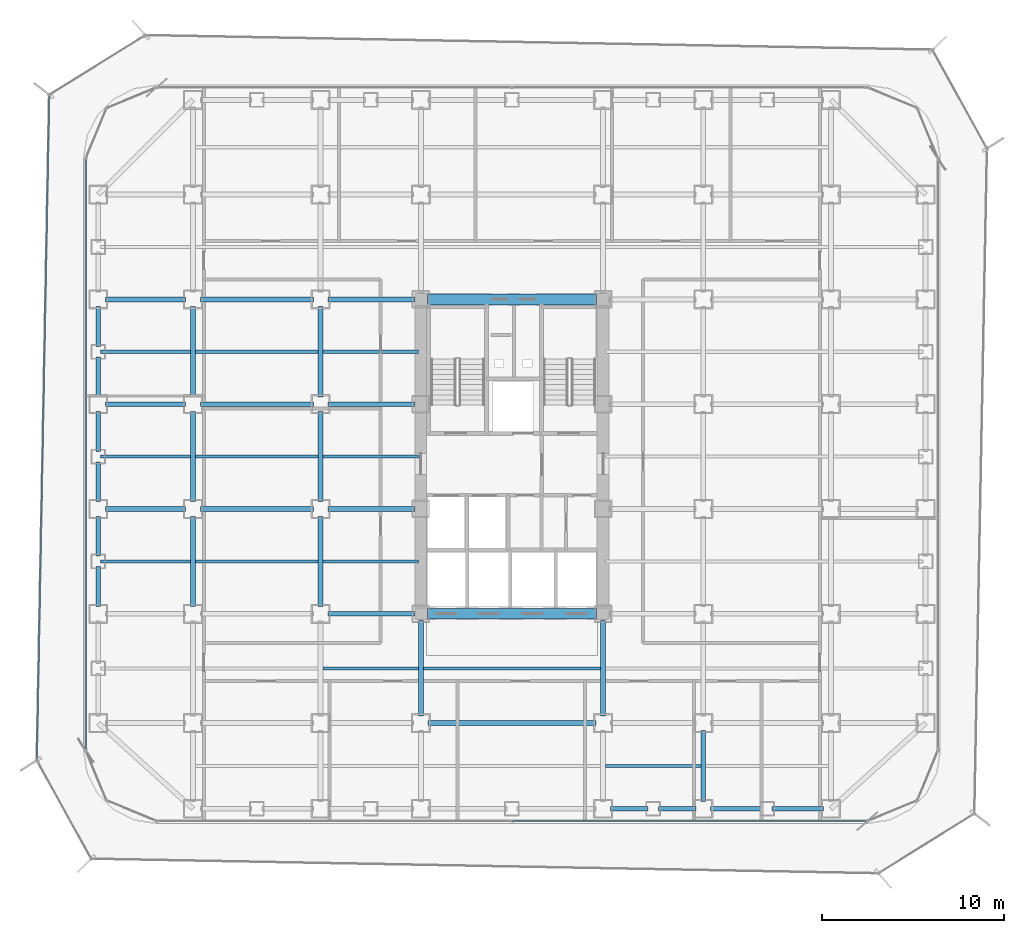
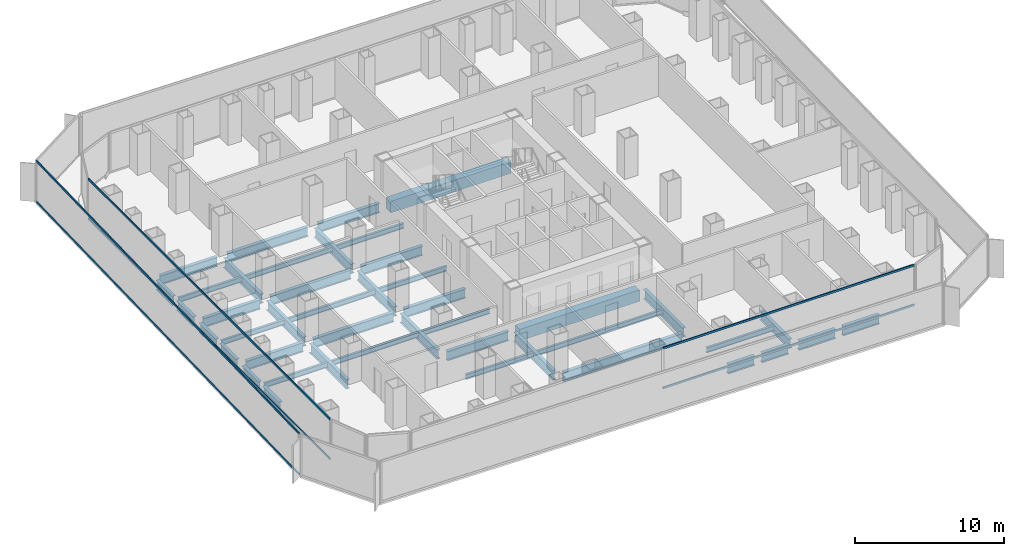
# One storey, part 5 of 22: 44 beams, 6 members, 3 elements without a shape of their own.
"""IFC4 building model written with IfcOpenShell, lengths in metres."""

from ifc_helpers import new_model, si_unit, direction, frame, origin, origin_2d, place, context, subcontext, project, spatial, rectangle, hollow_rectangle, i_section, extrude, source, transform, mapped, material, layer, layer_set, material_profile, profile_set, type_object, element, aggregate, save


model = new_model("IFC4")

# Units and contexts
model_context = context("Model", 3, precision=1e-05, world=origin(), true_north=direction((0.0, 1.0)))
body_context = subcontext(model_context, "Body", "Model", "MODEL_VIEW")
ifc_project = project(units=[si_unit("LENGTHUNIT", "METRE"), si_unit("AREAUNIT", "SQUARE_METRE"), si_unit("VOLUMEUNIT", "CUBIC_METRE"), si_unit("PLANEANGLEUNIT", "RADIAN"), si_unit("MASSUNIT", "GRAM", prefix="KILO")], contexts=[model_context])

# Site, building, storey
site_placement = place(None, origin())
site = spatial("IfcSite", under=ifc_project, at=site_placement, CompositionType="ELEMENT")
building_placement = place(site_placement, origin())
building = spatial("IfcBuilding", under=site, at=building_placement, Name="Kolveth Station Tower", CompositionType="ELEMENT")
storey_placement = place(building_placement, frame((0.0, 0.0, 81.0)))
storey = spatial("IfcBuildingStorey", under=building, at=storey_placement, Name="L21", CompositionType="ELEMENT", Elevation=81.0)

# Beams
ifc_material_1 = material(Name="Steel S355", Category="steel")
ifc_material_profile_1 = material_profile(ifc_material_1, i_section(OverallWidth=0.26904296875, OverallDepth=0.77490234375, WebThickness=0.01708984375, FlangeThickness=0.0283203125, at=origin_2d()), Name="W760x220")
ifc_profile_set_1 = profile_set([ifc_material_profile_1], Name="Steel S355")
beam_type_1 = type_object("IfcBeamType", Name="Beam_SP1", PredefinedType="SPANDREL", material=ifc_profile_set_1)
shared_shape_1 = source(origin(), body_context, "Body", "SweptSolid", [
    extrude(i_section(OverallWidth=0.26904296875, OverallDepth=0.77490234375, WebThickness=0.01708984375, FlangeThickness=0.0283203125, at=origin_2d()), origin(), (0.0, 0.0, 1.0), 2.820068359375),
])
for number, where, z_axis, x_axis, name in (
    (1, (34.39990234375, 0.800048828125, -0.66748046875), (1.0, 0.0, 0.0), (0.0, 1.0, 0.0), "L21 Perimeter Spandrel BM-L21-PS-9"),
    (2, (37.780029296875, 0.800048828125, -0.66748046875), (1.0, 0.0, 0.0), (0.0, 1.0, 0.0), "L21 Perimeter Spandrel BM-L21-PS-10"),
):
    element("IfcBeam", number, at=place(storey_placement, frame(where, z_axis=z_axis, x_axis=x_axis)), inside=storey, type_object=beam_type_1, Name=name, PredefinedType="SPANDREL", context=body_context, shape_type="MappedRepresentation", body=[
        mapped(shared_shape_1, transform((0.0, 0.0, 0.0), x_axis=(1.0, 0.0, 0.0), y_axis=(0.0, 1.0, 0.0), z_axis=(0.0, 0.0, 1.0), scale=1.0)),
    ])
shared_shape_2 = source(origin(), body_context, "Body", "SweptSolid", [
    extrude(i_section(OverallWidth=0.26904296875, OverallDepth=0.77490234375, WebThickness=0.01708984375, FlangeThickness=0.0283203125, at=origin_2d()), origin(), (0.0, 0.0, 1.0), 2.070068359375),
])
for number, where, z_axis, x_axis, name in (
    (3, (28.89990234375, 0.800048828125, -0.66748046875), (1.0, 0.0, 0.0), (0.0, 1.0, 0.0), "L21 Perimeter Spandrel BM-L21-PS-7"),
    (4, (31.530029296875, 0.800048828125, -0.66748046875), (1.0, 0.0, 0.0), (0.0, 1.0, 0.0), "L21 Perimeter Spandrel BM-L21-PS-8"),
):
    element("IfcBeam", number, at=place(storey_placement, frame(where, z_axis=z_axis, x_axis=x_axis)), inside=storey, type_object=beam_type_1, Name=name, PredefinedType="SPANDREL", context=body_context, shape_type="MappedRepresentation", body=[
        mapped(shared_shape_2, transform((0.0, 0.0, 0.0), x_axis=(1.0, 0.0, 0.0), y_axis=(0.0, 1.0, 0.0), z_axis=(0.0, 0.0, 1.0), scale=1.0)),
    ])
shared_shape_3 = source(origin(), body_context, "Body", "SweptSolid", [
    extrude(i_section(OverallWidth=0.26904296875, OverallDepth=0.77490234375, WebThickness=0.01708984375, FlangeThickness=0.0283203125, at=origin_2d()), origin(), (0.0, 0.0, 1.0), 2.2001953125),
])
for number, where, z_axis, x_axis, name in (
    (5, (0.800048828125, 11.89990234375, -0.66748046875), (0.0, 1.0, 0.0), (-1.0, 0.0, 0.0), "L21 Perimeter Spandrel BM-L21-PW-3"),
    (6, (0.800048828125, 20.39990234375, -0.66748046875), (0.0, 1.0, 0.0), (-1.0, 0.0, 0.0), "L21 Perimeter Spandrel BM-L21-PW-6"),
    (7, (0.800048828125, 23.39990234375, -0.66748046875), (0.0, 1.0, 0.0), (-1.0, 0.0, 0.0), "L21 Perimeter Spandrel BM-L21-PW-7"),
):
    element("IfcBeam", number, at=place(storey_placement, frame(where, z_axis=z_axis, x_axis=x_axis)), inside=storey, type_object=beam_type_1, Name=name, PredefinedType="SPANDREL", context=body_context, shape_type="MappedRepresentation", body=[
        mapped(shared_shape_3, transform((0.0, 0.0, 0.0), x_axis=(1.0, 0.0, 0.0), y_axis=(0.0, 1.0, 0.0), z_axis=(0.0, 0.0, 1.0), scale=1.0)),
    ])
shared_shape_4 = source(origin(), body_context, "Body", "SweptSolid", [
    extrude(i_section(OverallWidth=0.26904296875, OverallDepth=0.77490234375, WebThickness=0.01708984375, FlangeThickness=0.0283203125, at=origin_2d()), origin(), (0.0, 0.0, 1.0), 2.190185546875),
])
for number, where, z_axis, x_axis, name in (
    (8, (0.800048828125, 14.659912109375, -0.66748046875), (0.0, 1.0, 0.0), (-1.0, 0.0, 0.0), "L21 Perimeter Spandrel BM-L21-PW-4"),
    (9, (0.800048828125, 17.64990234375, -0.66748046875), (0.0, 1.0, 0.0), (-1.0, 0.0, 0.0), "L21 Perimeter Spandrel BM-L21-PW-5"),
    (10, (0.800048828125, 26.159912109375, -0.66748046875), (0.0, 1.0, 0.0), (-1.0, 0.0, 0.0), "L21 Perimeter Spandrel BM-L21-PW-8"),
):
    element("IfcBeam", number, at=place(storey_placement, frame(where, z_axis=z_axis, x_axis=x_axis)), inside=storey, type_object=beam_type_1, Name=name, PredefinedType="SPANDREL", context=body_context, shape_type="MappedRepresentation", body=[
        mapped(shared_shape_4, transform((0.0, 0.0, 0.0), x_axis=(1.0, 0.0, 0.0), y_axis=(0.0, 1.0, 0.0), z_axis=(0.0, 0.0, 1.0), scale=1.0)),
    ])
ifc_material_profile_2 = material_profile(ifc_material_1, i_section(OverallWidth=0.26708984375, OverallDepth=0.76611328125, WebThickness=0.014892578125, FlangeThickness=0.023681640625, at=origin_2d()), Name="W760x185")
ifc_profile_set_2 = profile_set([ifc_material_profile_2], Name="Steel S355")
beam_type_2 = type_object("IfcBeamType", Name="Beam_B3", PredefinedType="BEAM", material=ifc_profile_set_2)
shared_shape_5 = source(origin(), body_context, "Body", "SweptSolid", [
    extrude(i_section(OverallWidth=0.26708984375, OverallDepth=0.76611328125, WebThickness=0.014892578125, FlangeThickness=0.023681640625, at=origin_2d()), origin(), (0.0, 0.0, 1.0), 4.400146484375),
])
for number, where, z_axis, x_axis, name in (
    (11, (1.199951171875, 17.25, -0.6630859375), (1.0, 0.0, 0.0), (0.0, 1.0, 0.0), "L21 Primary Girder BM-L21-GY172-1"),
    (12, (1.199951171875, 23.0, -0.6630859375), (1.0, 0.0, 0.0), (0.0, 1.0, 0.0), "L21 Primary Girder BM-L21-GY230-1"),
    (13, (1.199951171875, 28.75, -0.6630859375), (1.0, 0.0, 0.0), (0.0, 1.0, 0.0), "L21 Primary Girder BM-L21-GY287-1"),
):
    element("IfcBeam", number, at=place(storey_placement, frame(where, z_axis=z_axis, x_axis=x_axis)), inside=storey, type_object=beam_type_2, Name=name, PredefinedType="BEAM", context=body_context, shape_type="MappedRepresentation", body=[
        mapped(shared_shape_5, transform((0.0, 0.0, 0.0), x_axis=(1.0, 0.0, 0.0), y_axis=(0.0, 1.0, 0.0), z_axis=(0.0, 0.0, 1.0), scale=1.0)),
    ])
shared_shape_6 = source(origin(), body_context, "Body", "SweptSolid", [
    extrude(i_section(OverallWidth=0.26708984375, OverallDepth=0.76611328125, WebThickness=0.014892578125, FlangeThickness=0.023681640625, at=origin_2d()), origin(), (0.0, 0.0, 1.0), 6.2001953125),
])
for number, where, z_axis, x_axis, name in (
    (14, (6.39990234375, 17.25, -0.6630859375), (1.0, 0.0, 0.0), (0.0, 1.0, 0.0), "L21 Primary Girder BM-L21-GY172-2"),
    (15, (6.39990234375, 23.0, -0.6630859375), (1.0, 0.0, 0.0), (0.0, 1.0, 0.0), "L21 Primary Girder BM-L21-GY230-2"),
    (16, (6.39990234375, 28.75, -0.6630859375), (1.0, 0.0, 0.0), (0.0, 1.0, 0.0), "L21 Primary Girder BM-L21-GY287-2"),
):
    element("IfcBeam", number, at=place(storey_placement, frame(where, z_axis=z_axis, x_axis=x_axis)), inside=storey, type_object=beam_type_2, Name=name, PredefinedType="BEAM", context=body_context, shape_type="MappedRepresentation", body=[
        mapped(shared_shape_6, transform((0.0, 0.0, 0.0), x_axis=(1.0, 0.0, 0.0), y_axis=(0.0, 1.0, 0.0), z_axis=(0.0, 0.0, 1.0), scale=1.0)),
    ])
shared_shape_7 = source(origin(), body_context, "Body", "SweptSolid", [
    extrude(i_section(OverallWidth=0.26708984375, OverallDepth=0.76611328125, WebThickness=0.014892578125, FlangeThickness=0.023681640625, at=origin_2d()), origin(), (0.0, 0.0, 1.0), 9.2001953125),
])
beam_1_placement = place(storey_placement, frame((18.89990234375, 5.5, -0.6630859375), z_axis=(1.0, 0.0, 0.0), x_axis=(0.0, 1.0, 0.0)))
element("IfcBeam", 17, at=beam_1_placement, inside=storey, type_object=beam_type_2, Name="L21 Primary Girder BM-L21-GY55-4", PredefinedType="BEAM", context=body_context, shape_type="MappedRepresentation", body=[
    mapped(shared_shape_7, transform((0.0, 0.0, 0.0), x_axis=(1.0, 0.0, 0.0), y_axis=(0.0, 1.0, 0.0), z_axis=(0.0, 0.0, 1.0), scale=1.0)),
])
shared_shape_8 = source(origin(), body_context, "Body", "SweptSolid", [
    extrude(i_section(OverallWidth=0.26708984375, OverallDepth=0.76611328125, WebThickness=0.014892578125, FlangeThickness=0.023681640625, at=origin_2d()), origin(), (0.0, 0.0, 1.0), 4.739990234375),
])
for number, where, z_axis, x_axis, name in (
    (18, (13.39990234375, 11.5, -0.6630859375), (1.0, 0.0, 0.0), (0.0, 1.0, 0.0), "L21 Primary Girder BM-L21-GY115-3"),
    (19, (13.39990234375, 17.25, -0.6630859375), (1.0, 0.0, 0.0), (0.0, 1.0, 0.0), "L21 Primary Girder BM-L21-GY172-3"),
    (20, (13.39990234375, 23.0, -0.6630859375), (1.0, 0.0, 0.0), (0.0, 1.0, 0.0), "L21 Primary Girder BM-L21-GY230-3"),
    (21, (13.39990234375, 28.75, -0.6630859375), (1.0, 0.0, 0.0), (0.0, 1.0, 0.0), "L21 Primary Girder BM-L21-GY287-3"),
):
    element("IfcBeam", number, at=place(storey_placement, frame(where, z_axis=z_axis, x_axis=x_axis)), inside=storey, type_object=beam_type_2, Name=name, PredefinedType="BEAM", context=body_context, shape_type="MappedRepresentation", body=[
        mapped(shared_shape_8, transform((0.0, 0.0, 0.0), x_axis=(1.0, 0.0, 0.0), y_axis=(0.0, 1.0, 0.0), z_axis=(0.0, 0.0, 1.0), scale=1.0)),
    ])
shared_shape_9 = source(origin(), body_context, "Body", "SweptSolid", [
    extrude(i_section(OverallWidth=0.26708984375, OverallDepth=0.76611328125, WebThickness=0.014892578125, FlangeThickness=0.023681640625, at=origin_2d()), origin(), (0.0, 0.0, 1.0), 3.900146484375),
])
beam_2_placement = place(storey_placement, frame((34.0, 1.199951171875, -0.6630859375), z_axis=(0.0, 1.0, 0.0), x_axis=(-1.0, 0.0, 0.0)))
element("IfcBeam", 22, at=beam_2_placement, inside=storey, type_object=beam_type_2, Name="L21 Primary Girder BM-L21-GX340-1", PredefinedType="BEAM", context=body_context, shape_type="MappedRepresentation", body=[
    mapped(shared_shape_9, transform((0.0, 0.0, 0.0), x_axis=(1.0, 0.0, 0.0), y_axis=(0.0, 1.0, 0.0), z_axis=(0.0, 0.0, 1.0), scale=1.0)),
])
shared_shape_10 = source(origin(), body_context, "Body", "SweptSolid", [
    extrude(i_section(OverallWidth=0.26708984375, OverallDepth=0.76611328125, WebThickness=0.014892578125, FlangeThickness=0.023681640625, at=origin_2d()), origin(), (0.0, 0.0, 1.0), 4.9501953125),
])
for number, where, z_axis, x_axis, name in (
    (23, (6.0, 11.89990234375, -0.6630859375), (0.0, 1.0, 0.0), (-1.0, 0.0, 0.0), "L21 Primary Girder BM-L21-GX60-3"),
    (24, (6.0, 17.64990234375, -0.6630859375), (0.0, 1.0, 0.0), (-1.0, 0.0, 0.0), "L21 Primary Girder BM-L21-GX60-4"),
    (25, (6.0, 23.39990234375, -0.6630859375), (0.0, 1.0, 0.0), (-1.0, 0.0, 0.0), "L21 Primary Girder BM-L21-GX60-5"),
    (26, (13.0, 11.89990234375, -0.6630859375), (0.0, 1.0, 0.0), (-1.0, 0.0, 0.0), "L21 Primary Girder BM-L21-GX130-3"),
    (27, (13.0, 17.64990234375, -0.6630859375), (0.0, 1.0, 0.0), (-1.0, 0.0, 0.0), "L21 Primary Girder BM-L21-GX130-4"),
    (28, (13.0, 23.39990234375, -0.6630859375), (0.0, 1.0, 0.0), (-1.0, 0.0, 0.0), "L21 Primary Girder BM-L21-GX130-5"),
):
    element("IfcBeam", number, at=place(storey_placement, frame(where, z_axis=z_axis, x_axis=x_axis)), inside=storey, type_object=beam_type_2, Name=name, PredefinedType="BEAM", context=body_context, shape_type="MappedRepresentation", body=[
        mapped(shared_shape_10, transform((0.0, 0.0, 0.0), x_axis=(1.0, 0.0, 0.0), y_axis=(0.0, 1.0, 0.0), z_axis=(0.0, 0.0, 1.0), scale=1.0)),
    ])
shared_shape_11 = source(origin(), body_context, "Body", "SweptSolid", [
    extrude(i_section(OverallWidth=0.26708984375, OverallDepth=0.76611328125, WebThickness=0.014892578125, FlangeThickness=0.023681640625, at=origin_2d()), origin(), (0.0, 0.0, 1.0), 5.239990234375),
])
for number, where, z_axis, x_axis, name in (
    (29, (18.5, 5.89990234375, -0.6630859375), (0.0, 1.0, 0.0), (-1.0, 0.0, 0.0), "L21 Primary Girder BM-L21-GX185-2"),
    (30, (28.5, 5.89990234375, -0.6630859375), (0.0, 1.0, 0.0), (-1.0, 0.0, 0.0), "L21 Primary Girder BM-L21-GX285-2"),
):
    element("IfcBeam", number, at=place(storey_placement, frame(where, z_axis=z_axis, x_axis=x_axis)), inside=storey, type_object=beam_type_2, Name=name, PredefinedType="BEAM", context=body_context, shape_type="MappedRepresentation", body=[
        mapped(shared_shape_11, transform((0.0, 0.0, 0.0), x_axis=(1.0, 0.0, 0.0), y_axis=(0.0, 1.0, 0.0), z_axis=(0.0, 0.0, 1.0), scale=1.0)),
    ])
ifc_material_profile_3 = material_profile(ifc_material_1, i_section(OverallWidth=0.177978515625, OverallDepth=0.406982421875, WebThickness=0.0078125, FlangeThickness=0.0126953125, at=origin_2d()), Name="W410x60")
ifc_profile_set_3 = profile_set([ifc_material_profile_3], Name="Steel S355")
beam_type_3 = type_object("IfcBeamType", Name="Beam_J1", PredefinedType="JOIST", material=ifc_profile_set_3)
shared_shape_12 = source(origin(), body_context, "Body", "SweptSolid", [
    extrude(i_section(OverallWidth=0.177978515625, OverallDepth=0.406982421875, WebThickness=0.0078125, FlangeThickness=0.0126953125, at=origin_2d()), origin(), (0.0, 0.0, 1.0), 4.935791015625),
])
for number, where, z_axis, x_axis, name in (
    (31, (0.9326171875, 14.375, -0.4833984375), (1.0, 0.0, 0.0), (0.0, 1.0, 0.0), "L21 Secondary Joist JST-L21-1-3"),
    (32, (0.9326171875, 20.125, -0.4833984375), (1.0, 0.0, 0.0), (0.0, 1.0, 0.0), "L21 Secondary Joist JST-L21-1-4"),
    (33, (0.9326171875, 25.875, -0.4833984375), (1.0, 0.0, 0.0), (0.0, 1.0, 0.0), "L21 Secondary Joist JST-L21-1-5"),
):
    element("IfcBeam", number, at=place(storey_placement, frame(where, z_axis=z_axis, x_axis=x_axis)), inside=storey, type_object=beam_type_3, Name=name, PredefinedType="JOIST", context=body_context, shape_type="MappedRepresentation", body=[
        mapped(shared_shape_12, transform((0.0, 0.0, 0.0), x_axis=(1.0, 0.0, 0.0), y_axis=(0.0, 1.0, 0.0), z_axis=(0.0, 0.0, 1.0), scale=1.0)),
    ])
shared_shape_13 = source(origin(), body_context, "Body", "SweptSolid", [
    extrude(i_section(OverallWidth=0.177978515625, OverallDepth=0.406982421875, WebThickness=0.0078125, FlangeThickness=0.0126953125, at=origin_2d()), origin(), (0.0, 0.0, 1.0), 6.73681640625),
])
for number, where, z_axis, x_axis, name in (
    (34, (6.131591796875, 14.375, -0.4833984375), (1.0, 0.0, 0.0), (0.0, 1.0, 0.0), "L21 Secondary Joist JST-L21-2-3"),
    (35, (6.131591796875, 20.125, -0.4833984375), (1.0, 0.0, 0.0), (0.0, 1.0, 0.0), "L21 Secondary Joist JST-L21-2-4"),
    (36, (6.131591796875, 25.875, -0.4833984375), (1.0, 0.0, 0.0), (0.0, 1.0, 0.0), "L21 Secondary Joist JST-L21-2-5"),
):
    element("IfcBeam", number, at=place(storey_placement, frame(where, z_axis=z_axis, x_axis=x_axis)), inside=storey, type_object=beam_type_3, Name=name, PredefinedType="JOIST", context=body_context, shape_type="MappedRepresentation", body=[
        mapped(shared_shape_13, transform((0.0, 0.0, 0.0), x_axis=(1.0, 0.0, 0.0), y_axis=(0.0, 1.0, 0.0), z_axis=(0.0, 0.0, 1.0), scale=1.0)),
    ])
shared_shape_14 = source(origin(), body_context, "Body", "SweptSolid", [
    extrude(i_section(OverallWidth=0.177978515625, OverallDepth=0.406982421875, WebThickness=0.0078125, FlangeThickness=0.0126953125, at=origin_2d()), origin(), (0.0, 0.0, 1.0), 5.23681640625),
])
for number, where, z_axis, x_axis, name in (
    (37, (13.131591796875, 8.5, -0.4833984375), (1.0, 0.0, 0.0), (0.0, 1.0, 0.0), "L21 Secondary Joist JST-L21-3-2"),
    (38, (13.131591796875, 14.375, -0.4833984375), (1.0, 0.0, 0.0), (0.0, 1.0, 0.0), "L21 Secondary Joist JST-L21-3-3"),
    (39, (13.131591796875, 20.125, -0.4833984375), (1.0, 0.0, 0.0), (0.0, 1.0, 0.0), "L21 Secondary Joist JST-L21-3-4"),
    (40, (13.131591796875, 25.875, -0.4833984375), (1.0, 0.0, 0.0), (0.0, 1.0, 0.0), "L21 Secondary Joist JST-L21-3-5"),
    (41, (28.631591796875, 3.14990234375, -0.4833984375), (1.0, 0.0, 0.0), (0.0, 1.0, 0.0), "L21 Secondary Joist JST-L21-5-1"),
):
    element("IfcBeam", number, at=place(storey_placement, frame(where, z_axis=z_axis, x_axis=x_axis)), inside=storey, type_object=beam_type_3, Name=name, PredefinedType="JOIST", context=body_context, shape_type="MappedRepresentation", body=[
        mapped(shared_shape_14, transform((0.0, 0.0, 0.0), x_axis=(1.0, 0.0, 0.0), y_axis=(0.0, 1.0, 0.0), z_axis=(0.0, 0.0, 1.0), scale=1.0)),
    ])
shared_shape_15 = source(origin(), body_context, "Body", "SweptSolid", [
    extrude(i_section(OverallWidth=0.177978515625, OverallDepth=0.406982421875, WebThickness=0.0078125, FlangeThickness=0.0126953125, at=origin_2d()), origin(), (0.0, 0.0, 1.0), 9.73681640625),
])
beam_3_placement = place(storey_placement, frame((18.631591796875, 8.5, -0.4833984375), z_axis=(1.0, 0.0, 0.0), x_axis=(0.0, 1.0, 0.0)))
element("IfcBeam", 42, at=beam_3_placement, inside=storey, type_object=beam_type_3, Name="L21 Secondary Joist JST-L21-4-2", PredefinedType="JOIST", context=body_context, shape_type="MappedRepresentation", body=[
    mapped(shared_shape_15, transform((0.0, 0.0, 0.0), x_axis=(1.0, 0.0, 0.0), y_axis=(0.0, 1.0, 0.0), z_axis=(0.0, 0.0, 1.0), scale=1.0)),
])
ifc_material_2 = material(Name="Concrete C60/75", Category="concrete")
ifc_material_profile_4 = material_profile(ifc_material_2, rectangle(XDim=0.60009765625, YDim=0.949951171875, at=origin_2d()), Name="RC-600x950")
ifc_profile_set_4 = profile_set([ifc_material_profile_4], Name="Concrete C60/75")
beam_type_4 = type_object("IfcBeamType", Name="Beam_CB1", PredefinedType="BEAM", material=ifc_profile_set_4)
shared_shape_16 = source(origin(), body_context, "Body", "SweptSolid", [
    extrude(rectangle(XDim=0.60009765625, YDim=0.949951171875, at=origin_2d()), origin(), (0.0, 0.0, 1.0), 9.27978515625),
])
for number, where, z_axis, x_axis, name in (
    (43, (18.860107421875, 11.5, -0.7548828125), (1.0, 0.0, 0.0), (0.0, 1.0, 0.0), "L21 Core Coupling Beam BM-L21-CB-Y115"),
    (44, (18.860107421875, 28.75, -0.7548828125), (1.0, 0.0, 0.0), (0.0, 1.0, 0.0), "L21 Core Coupling Beam BM-L21-CB-Y287"),
):
    element("IfcBeam", number, at=place(storey_placement, frame(where, z_axis=z_axis, x_axis=x_axis)), inside=storey, type_object=beam_type_4, Name=name, PredefinedType="BEAM", context=body_context, shape_type="MappedRepresentation", body=[
        mapped(shared_shape_16, transform((0.0, 0.0, 0.0), x_axis=(1.0, 0.0, 0.0), y_axis=(0.0, 1.0, 0.0), z_axis=(0.0, 0.0, 1.0), scale=1.0)),
    ])

# Curtain wall, members
ifc_material_3 = material(Name="Aluminium 6063-T6 and low-E dark glass", Category="aluminium")
ifc_layer_1 = layer(ifc_material_3, 0.179931640625)
ifc_layer_set_1 = layer_set([ifc_layer_1], Name="Aluminium 6063-T6 and low-E dark glass")
curtain_wall_type_1 = type_object("IfcCurtainWallType", Name="CurtainWall_CW-Z1", PredefinedType="NOTDEFINED", material=ifc_layer_set_1)
curtain_wall_1_placement = place(storey_placement, origin())
curtain_wall_1 = element("IfcCurtainWall", 45, at=curtain_wall_1_placement, inside=storey, type_object=curtain_wall_type_1, Name="L21 Inner Thermal Curtain Wall 9", PredefinedType="NOTDEFINED")
ifc_material_4 = material(Name="Black anodized aluminium 6063-T6", Category="aluminium")
ifc_material_profile_5 = material_profile(ifc_material_4, hollow_rectangle(XDim=0.074951171875, YDim=0.159912109375, WallThickness=0.0048828125, at=origin_2d()), Name="ALU-75x160x5")
ifc_profile_set_5 = profile_set([ifc_material_profile_5], Name="Black anodized aluminium 6063-T6")
member_type_1 = type_object("IfcMemberType", Name="Transom_TR1", PredefinedType="USERDEFINED", material=ifc_profile_set_5)
shared_shape_17 = source(origin(), body_context, "Body", "SweptSolid", [
    extrude(hollow_rectangle(XDim=0.074951171875, YDim=0.159912109375, WallThickness=0.0048828125, at=origin_2d()), origin(), (0.0, 0.0, 1.0), 32.35009765625),
])
member_1_placement = place(storey_placement, frame((0.1201171875, 36.425048828125, 0.03759765625), z_axis=(0.0, -1.0, 0.0), x_axis=(1.0, 0.0, 0.0)))
member_1 = element("IfcMember", 46, at=member_1_placement, type_object=member_type_1, Name="CW-Z1 transom 1.1", ObjectType="TRANSOM", PredefinedType="USERDEFINED", context=body_context, shape_type="MappedRepresentation", body=[
    mapped(shared_shape_17, transform((0.0, 0.0, 0.0), x_axis=(1.0, 0.0, 0.0), y_axis=(0.0, 1.0, 0.0), z_axis=(0.0, 0.0, 1.0), scale=1.0)),
])
member_2_placement = place(storey_placement, frame((0.1201171875, 36.425048828125, 3.282470703125), z_axis=(0.0, -1.0, 0.0), x_axis=(1.0, 0.0, 0.0)))
member_2 = element("IfcMember", 47, at=member_2_placement, type_object=member_type_1, Name="CW-Z1 transom 1.2", ObjectType="TRANSOM", PredefinedType="USERDEFINED", context=body_context, shape_type="MappedRepresentation", body=[
    mapped(shared_shape_17, transform((0.0, 0.0, 0.0), x_axis=(1.0, 0.0, 0.0), y_axis=(0.0, 1.0, 0.0), z_axis=(0.0, 0.0, 1.0), scale=1.0)),
])
aggregate(curtain_wall_1, [member_1, member_2])

curtain_wall_2_placement = place(storey_placement, origin())
curtain_wall_2 = element("IfcCurtainWall", 48, at=curtain_wall_2_placement, inside=storey, type_object=curtain_wall_type_1, Name="L21 Inner Thermal Curtain Wall 12", PredefinedType="NOTDEFINED")
shared_shape_18 = source(origin(), body_context, "Body", "SweptSolid", [
    extrude(hollow_rectangle(XDim=0.074951171875, YDim=0.159912109375, WallThickness=0.0048828125, at=origin_2d()), origin(), (0.0, 0.0, 1.0), 19.387451171875),
])
member_3_placement = place(storey_placement, frame((23.53759765625, 0.1201171875, 0.03759765625), z_axis=(1.0, 0.0, 0.0), x_axis=(0.0, 1.0, 0.0)))
member_3 = element("IfcMember", 49, at=member_3_placement, type_object=member_type_1, Name="CW-Z1 transom 2.1", ObjectType="TRANSOM", PredefinedType="USERDEFINED", context=body_context, shape_type="MappedRepresentation", body=[
    mapped(shared_shape_18, transform((0.0, 0.0, 0.0), x_axis=(1.0, 0.0, 0.0), y_axis=(0.0, 1.0, 0.0), z_axis=(0.0, 0.0, 1.0), scale=1.0)),
])
member_4_placement = place(storey_placement, frame((23.53759765625, 0.1201171875, 3.282470703125), z_axis=(1.0, 0.0, 0.0), x_axis=(0.0, 1.0, 0.0)))
member_4 = element("IfcMember", 50, at=member_4_placement, type_object=member_type_1, Name="CW-Z1 transom 2.2", ObjectType="TRANSOM", PredefinedType="USERDEFINED", context=body_context, shape_type="MappedRepresentation", body=[
    mapped(shared_shape_18, transform((0.0, 0.0, 0.0), x_axis=(1.0, 0.0, 0.0), y_axis=(0.0, 1.0, 0.0), z_axis=(0.0, 0.0, 1.0), scale=1.0)),
])
aggregate(curtain_wall_2, [member_3, member_4])

ifc_material_5 = material(Name="Black anodized aluminium 6063-T6 and dark solar glass", Category="aluminium")
ifc_layer_2 = layer(ifc_material_5, 0.159912109375)
ifc_layer_set_2 = layer_set([ifc_layer_2], Name="Black anodized aluminium 6063-T6 and dark solar glass")
curtain_wall_type_2 = type_object("IfcCurtainWallType", Name="OUTER SKIN CW-OS", PredefinedType="NOTDEFINED", material=ifc_layer_set_2)
curtain_wall_3_placement = place(storey_placement, origin())
curtain_wall_3 = element("IfcCurtainWall", 51, at=curtain_wall_3_placement, inside=storey, type_object=curtain_wall_type_2, Name="L21 Outer Ventilated Skin Curtain Wall 6", PredefinedType="NOTDEFINED")
ifc_material_profile_6 = material_profile(ifc_material_4, hollow_rectangle(XDim=0.080078125, YDim=0.14990234375, WallThickness=0.0048828125, at=origin_2d()), Name="ALU-80x150x5")
ifc_profile_set_6 = profile_set([ifc_material_profile_6], Name="Black anodized aluminium 6063-T6")
member_type_2 = type_object("IfcMemberType", Name="Transom_TR-OS", PredefinedType="USERDEFINED", material=ifc_profile_set_6)
shared_shape_19 = source(origin(), body_context, "Body", "SweptSolid", [
    extrude(hollow_rectangle(XDim=0.080078125, YDim=0.14990234375, WallThickness=0.0048828125, at=origin_2d()), origin(), (0.0, 0.0, 1.0), 36.32666015625),
])
member_5_placement = place(storey_placement, frame((-1.88671875, 39.878662109375, 0.0400390625), z_axis=(-0.01864996072, -0.999826074358, 0.0), x_axis=(0.999826074358, -0.01864996072, 0.0)))
member_5 = element("IfcMember", 52, at=member_5_placement, type_object=member_type_2, Name="CW-OS transom 1.1", ObjectType="TRANSOM", PredefinedType="USERDEFINED", context=body_context, shape_type="MappedRepresentation", body=[
    mapped(shared_shape_19, transform((0.0, 0.0, 0.0), x_axis=(1.0, 0.0, 0.0), y_axis=(0.0, 1.0, 0.0), z_axis=(0.0, 0.0, 1.0), scale=1.0)),
])
member_6_placement = place(storey_placement, frame((-1.88671875, 39.878662109375, 3.35009765625), z_axis=(-0.01864996072, -0.999826074358, 0.0), x_axis=(0.999826074358, -0.01864996072, 0.0)))
member_6 = element("IfcMember", 53, at=member_6_placement, type_object=member_type_2, Name="CW-OS transom 1.2", ObjectType="TRANSOM", PredefinedType="USERDEFINED", context=body_context, shape_type="MappedRepresentation", body=[
    mapped(shared_shape_19, transform((0.0, 0.0, 0.0), x_axis=(1.0, 0.0, 0.0), y_axis=(0.0, 1.0, 0.0), z_axis=(0.0, 0.0, 1.0), scale=1.0)),
])
aggregate(curtain_wall_3, [member_5, member_6])

save(model, "model.ifc")
